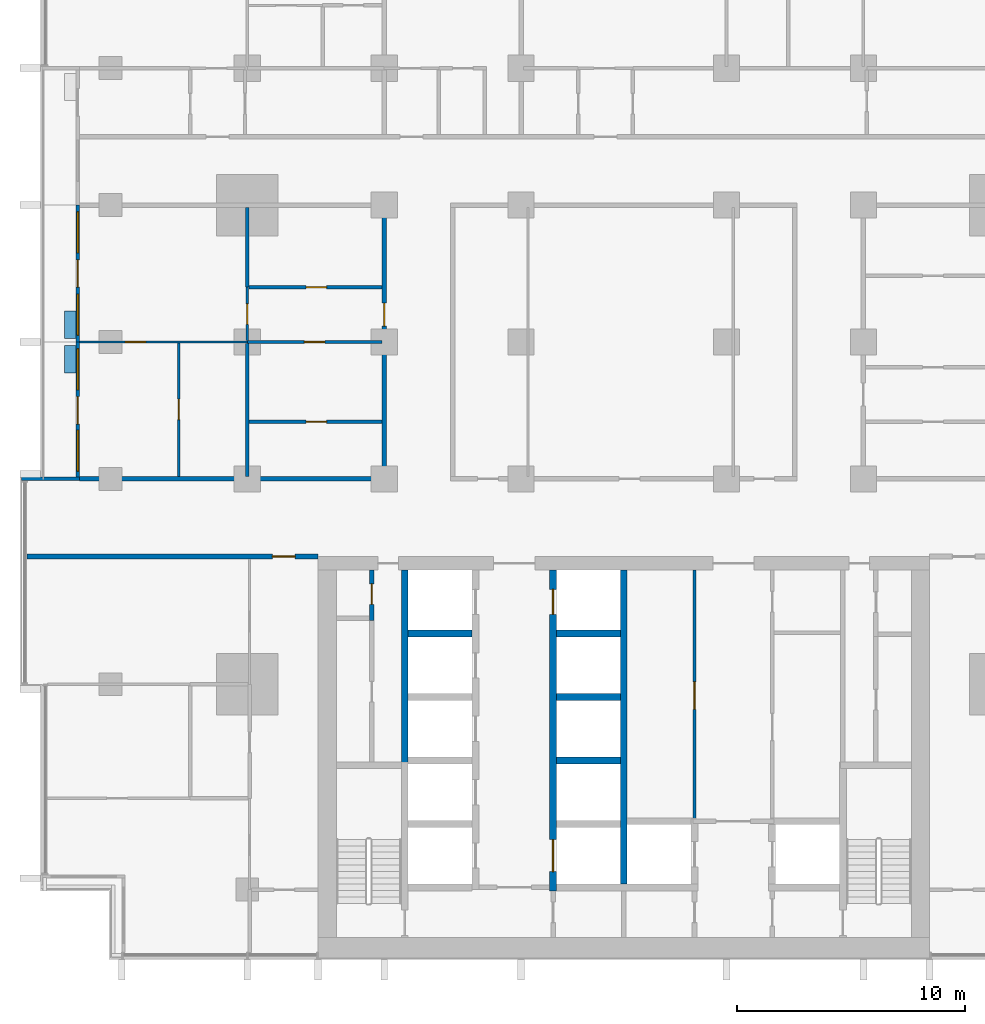
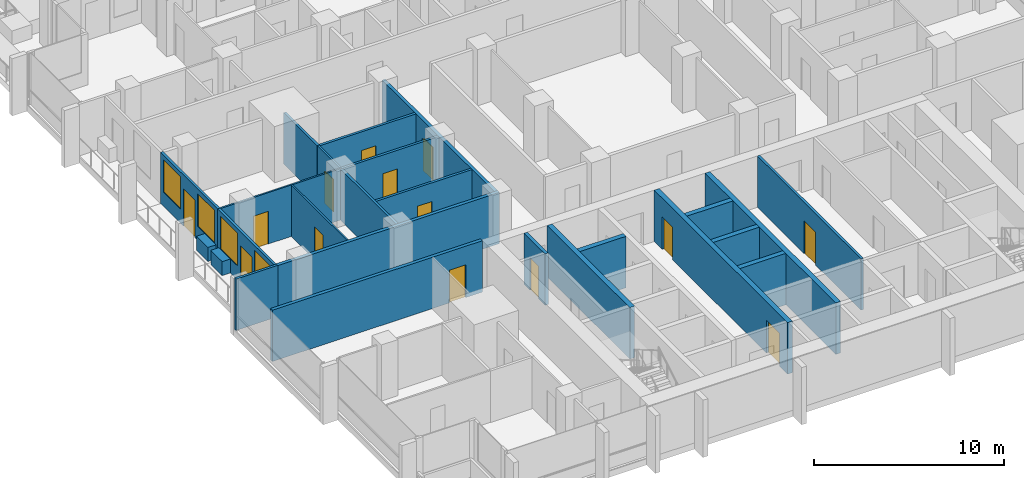
# One storey, part 8 of 19: 25 walls, 14 doors, 4 windows, 18 openings.
"""IFC4 building model written with IfcOpenShell, lengths in metres."""

from ifc_helpers import new_model, si_unit, direction, frame, frame_2d, origin, place, context, subcontext, project, spatial, rectangle, extrude, material, layer, layer_set, type_object, element, fill, save


model = new_model("IFC4")

# Units and contexts
model_context = context("Model", 3, precision=1e-05, world=origin(), true_north=direction((0.0, 1.0)))
body_context = subcontext(model_context, "Body", "Model", "MODEL_VIEW")
ifc_project = project(units=[si_unit("LENGTHUNIT", "METRE"), si_unit("AREAUNIT", "SQUARE_METRE"), si_unit("VOLUMEUNIT", "CUBIC_METRE"), si_unit("PLANEANGLEUNIT", "RADIAN"), si_unit("MASSUNIT", "GRAM", prefix="KILO")], contexts=[model_context])

# Site, building, storey
site_placement = place(None, origin())
site = spatial("IfcSite", under=ifc_project, at=site_placement, CompositionType="ELEMENT")
building_placement = place(site_placement, origin())
building = spatial("IfcBuilding", under=site, at=building_placement, Name="Finial Court Residences", CompositionType="ELEMENT")
storey_placement = place(building_placement, frame((0.0, 0.0, 81.10009765625)))
storey = spatial("IfcBuildingStorey", under=building, at=storey_placement, Name="L19", CompositionType="ELEMENT", Elevation=81.10009765625)

# Wall, opening, door
ifc_material_1 = material(Name="Fire-rated gypsum board partition")
ifc_layer_1 = layer(ifc_material_1, 0.14990234375)
ifc_layer_set_1 = layer_set([ifc_layer_1], Name="Core room partition 150 EI 60")
wall_type_1 = type_object("IfcWallType", Name="Core room partition 150 EI 60", PredefinedType="PARTITIONING", material=ifc_layer_set_1)
wall_1_placement = place(storey_placement, frame((3.10009765625, -19.39990234375, 0.0), z_axis=(0.0, 0.0, 1.0), x_axis=(0.0, 1.0, 0.0)))
wall_1 = element("IfcWall", 1, at=wall_1_placement, inside=storey, type_object=wall_type_1, Name="Core partition L19-32", PredefinedType="PARTITIONING", context=body_context, shape_type="SweptSolid", body=[
    extrude(rectangle(XDim=10.89990234375, YDim=0.14990234375, at=frame_2d((5.449951171875, 0.0))), origin(), (0.0, 0.0, 1.0), 3.2998046875),
])
opening_1_placement = place(wall_1_placement, frame((4.800048828125, 0.0, 0.0)))
opening_1 = element("IfcOpeningElement", 2, at=opening_1_placement, cuts=wall_1, Name="Opening L19-C14", PredefinedType="OPENING", context=body_context, shape_type="SweptSolid", body=[
    extrude(rectangle(XDim=1.199951171875, YDim=2.10009765625, at=frame_2d((0.60009765625, 1.050048828125))), frame((0.0, 0.0849609375, 0.0), z_axis=(0.0, -1.0, 0.0), x_axis=(1.0, 0.0, 0.0)), (0.0, 0.0, 1.0), 0.169921875),
])
ifc_material_2 = material(Name="Steel fire door", Category="steel")
door_type_1 = type_object("IfcDoorType", Name="Core room door 1200 x 2100 EI 60", OperationType="NOTDEFINED", PredefinedType="DOOR", material=ifc_material_2)
door_1_placement = place(opening_1_placement, origin())
door_1 = element("IfcDoor", 3, at=door_1_placement, inside=storey, type_object=door_type_1, Name="Core room door L19-C14", OperationType="SINGLE_SWING_LEFT", OverallHeight=2.10009765625, OverallWidth=1.199951171875, PredefinedType="DOOR", context=body_context, shape_type="SweptSolid", body=[
    extrude(rectangle(XDim=1.199951171875, YDim=2.10009765625, at=frame_2d((0.60009765625, 1.050048828125))), frame((0.0, 0.02490234375, 0.0), z_axis=(0.0, -1.0, 0.0), x_axis=(1.0, 0.0, 0.0)), (0.0, 0.0, 1.0), 0.050048828125),
])
fill(opening_1, door_1)

ifc_material_3 = material(Name="Gypsum board")
ifc_layer_2 = layer(ifc_material_3, 0.02490234375)
ifc_material_4 = material(Name="Acoustic mineral wool in double frame")
ifc_layer_3 = layer(ifc_material_4, 0.14990234375)
ifc_layer_4 = layer(ifc_material_3, 0.02490234375)
ifc_layer_set_2 = layer_set([ifc_layer_2, ifc_layer_3, ifc_layer_4], Name="Corridor wall 200, 1 hour")
wall_type_2 = type_object("IfcWallType", Name="Corridor wall 200, 1 hour", PredefinedType="PARTITIONING", material=ifc_layer_set_2)
wall_2_placement = place(storey_placement, frame((-26.14990234375, -7.89990234375, 0.0), z_axis=(0.0, 0.0, 1.0), x_axis=(1.0, 0.0, 0.0)))
wall_2 = element("IfcWall", 4, at=wall_2_placement, inside=storey, type_object=wall_type_2, Name="Partition L19-009", PredefinedType="PARTITIONING", context=body_context, shape_type="SweptSolid", body=[
    extrude(rectangle(XDim=12.75, YDim=0.199951171875, at=frame_2d((6.375, 0.0))), origin(), (0.0, 0.0, 1.0), 3.2998046875),
])
opening_2_placement = place(wall_2_placement, frame((10.75, 0.0, 0.0)))
opening_2 = element("IfcOpeningElement", 5, at=opening_2_placement, cuts=wall_2, Name="Opening L19-D005", PredefinedType="OPENING", context=body_context, shape_type="SweptSolid", body=[
    extrude(rectangle(XDim=1.0, YDim=2.10009765625, at=frame_2d((0.5, 1.050048828125))), frame((0.0, 0.10986328125, 0.0), z_axis=(0.0, -1.0, 0.0), x_axis=(1.0, 0.0, 0.0)), (0.0, 0.0, 1.0), 0.219970703125),
])
ifc_material_5 = material(Name="Timber door leaf in hollow metal frame", Category="wood")
door_type_2 = type_object("IfcDoorType", Name="Fire door set 1000 x 2100, 30 minutes", OperationType="SINGLE_SWING_LEFT", PredefinedType="DOOR", material=ifc_material_5)
door_2_placement = place(opening_2_placement, origin())
door_2 = element("IfcDoor", 6, at=door_2_placement, inside=storey, type_object=door_type_2, Name="Door L19-D005", OperationType="SINGLE_SWING_RIGHT", OverallHeight=2.10009765625, OverallWidth=1.0, PredefinedType="DOOR", context=body_context, shape_type="SweptSolid", body=[
    extrude(rectangle(XDim=1.0, YDim=2.10009765625, at=frame_2d((0.5, 1.050048828125))), frame((0.0, 0.02490234375, 0.0), z_axis=(0.0, -1.0, 0.0), x_axis=(1.0, 0.0, 0.0)), (0.0, 0.0, 1.0), 0.050048828125),
])
fill(opening_2, door_2)

# Wall
wall_3_placement = place(storey_placement, frame((-23.85009765625, -4.5, 0.0), z_axis=(0.0, 0.0, 1.0), x_axis=(1.0, 0.0, 0.0)))
element("IfcWall", 7, at=wall_3_placement, inside=storey, type_object=wall_type_2, Name="Partition L19-011", PredefinedType="PARTITIONING", context=body_context, shape_type="SweptSolid", body=[
    extrude(rectangle(XDim=13.4501953125, YDim=0.199951171875, at=frame_2d((6.72509765625, 0.0))), origin(), (0.0, 0.0, 1.0), 3.2998046875),
])

# Wall, opening, door
wall_4_placement = place(storey_placement, frame((-10.5, -4.39990234375, 0.0), z_axis=(0.0, 0.0, 1.0), x_axis=(0.0, 1.0, 0.0)))
wall_4 = element("IfcWall", 8, at=wall_4_placement, inside=storey, type_object=wall_type_2, Name="Partition L19-054", PredefinedType="PARTITIONING", context=body_context, shape_type="SweptSolid", body=[
    extrude(rectangle(XDim=11.7998046875, YDim=0.199951171875, at=frame_2d((5.89990234375, 0.0))), origin(), (0.0, 0.0, 1.0), 3.2998046875),
])
opening_3_placement = place(wall_4_placement, frame((6.60009765625, 0.0, 0.0)))
opening_3 = element("IfcOpeningElement", 9, at=opening_3_placement, cuts=wall_4, Name="Opening L19-D040", PredefinedType="OPENING", context=body_context, shape_type="SweptSolid", body=[
    extrude(rectangle(XDim=1.0, YDim=2.10009765625, at=frame_2d((0.5, 1.050048828125))), frame((0.0, 0.10986328125, 0.0), z_axis=(0.0, -1.0, 0.0), x_axis=(1.0, 0.0, 0.0)), (0.0, 0.0, 1.0), 0.219970703125),
])
door_3_placement = place(opening_3_placement, origin())
door_3 = element("IfcDoor", 10, at=door_3_placement, inside=storey, type_object=door_type_2, Name="Door L19-D040", OperationType="SINGLE_SWING_LEFT", OverallHeight=2.10009765625, OverallWidth=1.0, PredefinedType="DOOR", context=body_context, shape_type="SweptSolid", body=[
    extrude(rectangle(XDim=1.0, YDim=2.10009765625, at=frame_2d((0.5, 1.050048828125))), frame((0.0, 0.02490234375, 0.0), z_axis=(0.0, -1.0, 0.0), x_axis=(1.0, 0.0, 0.0)), (0.0, 0.0, 1.0), 0.050048828125),
])
fill(opening_3, door_3)

ifc_layer_5 = layer(ifc_material_3, 0.012451171875)
ifc_material_6 = material(Name="Mineral wool in light-gauge frame")
ifc_layer_6 = layer(ifc_material_6, 0.074951171875)
ifc_layer_7 = layer(ifc_material_3, 0.012451171875)
ifc_layer_set_3 = layer_set([ifc_layer_5, ifc_layer_6, ifc_layer_7], Name="Gypsum board partition 100")
wall_type_3 = type_object("IfcWallType", Name="Gypsum board partition 100", PredefinedType="PARTITIONING", material=ifc_layer_set_3)
wall_5_placement = place(storey_placement, frame((-23.85009765625, 1.5, 0.0), z_axis=(0.0, 0.0, 1.0), x_axis=(1.0, 0.0, 0.0)))
wall_5 = element("IfcWall", 11, at=wall_5_placement, inside=storey, type_object=wall_type_3, Name="Partition L19-017", PredefinedType="PARTITIONING", context=body_context, shape_type="SweptSolid", body=[
    extrude(rectangle(XDim=7.35009765625, YDim=0.10009765625, at=frame_2d((3.675048828125, 0.0))), origin(), (0.0, 0.0, 1.0), 3.2998046875),
])
opening_4_placement = place(wall_5_placement, frame((2.0, 0.0, 0.0)))
opening_4 = element("IfcOpeningElement", 12, at=opening_4_placement, cuts=wall_5, Name="Opening L19-D013", PredefinedType="OPENING", context=body_context, shape_type="SweptSolid", body=[
    extrude(rectangle(XDim=0.89990234375, YDim=2.10009765625, at=frame_2d((0.449951171875, 1.050048828125))), frame((0.0, 0.06005859375, 0.0), z_axis=(0.0, -1.0, 0.0), x_axis=(1.0, 0.0, 0.0)), (0.0, 0.0, 1.0), 0.1201171875),
])
ifc_material_7 = material(Name="Timber door leaf in timber frame", Category="wood")
door_type_3 = type_object("IfcDoorType", Name="Door set 900 x 2100", OperationType="SINGLE_SWING_LEFT", PredefinedType="DOOR", material=ifc_material_7)
door_4_placement = place(opening_4_placement, origin())
door_4 = element("IfcDoor", 13, at=door_4_placement, inside=storey, type_object=door_type_3, Name="Door L19-D013", OperationType="SINGLE_SWING_LEFT", OverallHeight=2.10009765625, OverallWidth=0.89990234375, PredefinedType="DOOR", context=body_context, shape_type="SweptSolid", body=[
    extrude(rectangle(XDim=0.89990234375, YDim=2.10009765625, at=frame_2d((0.449951171875, 1.050048828125))), frame((0.0, 0.02490234375, 0.0), z_axis=(0.0, -1.0, 0.0), x_axis=(1.0, 0.0, 0.0)), (0.0, 0.0, 1.0), 0.050048828125),
])
fill(opening_4, door_4)

wall_6_placement = place(storey_placement, frame((-19.5, -4.39990234375, 0.0), z_axis=(0.0, 0.0, 1.0), x_axis=(0.0, 1.0, 0.0)))
wall_6 = element("IfcWall", 14, at=wall_6_placement, inside=storey, type_object=wall_type_3, Name="Partition L19-041", PredefinedType="PARTITIONING", context=body_context, shape_type="SweptSolid", body=[
    extrude(rectangle(XDim=5.849853515625, YDim=0.10009765625, at=frame_2d((2.9248046875, 0.0))), origin(), (0.0, 0.0, 1.0), 3.2998046875),
])
opening_5_placement = place(wall_6_placement, frame((2.5, 0.0, 0.0)))
opening_5 = element("IfcOpeningElement", 15, at=opening_5_placement, cuts=wall_6, Name="Opening L19-D032", PredefinedType="OPENING", context=body_context, shape_type="SweptSolid", body=[
    extrude(rectangle(XDim=0.89990234375, YDim=2.10009765625, at=frame_2d((0.449951171875, 1.050048828125))), frame((0.0, 0.06005859375, 0.0), z_axis=(0.0, -1.0, 0.0), x_axis=(1.0, 0.0, 0.0)), (0.0, 0.0, 1.0), 0.1201171875),
])
door_5_placement = place(opening_5_placement, origin())
door_5 = element("IfcDoor", 16, at=door_5_placement, inside=storey, type_object=door_type_3, Name="Door L19-D032", OperationType="SINGLE_SWING_RIGHT", OverallHeight=2.10009765625, OverallWidth=0.89990234375, PredefinedType="DOOR", context=body_context, shape_type="SweptSolid", body=[
    extrude(rectangle(XDim=0.89990234375, YDim=2.10009765625, at=frame_2d((0.449951171875, 1.050048828125))), frame((0.0, 0.02490234375, 0.0), z_axis=(0.0, -1.0, 0.0), x_axis=(1.0, 0.0, 0.0)), (0.0, 0.0, 1.0), 0.050048828125),
])
fill(opening_5, door_5)

wall_7_placement = place(storey_placement, frame((-16.5, 1.574951171875, 0.0), z_axis=(0.0, 0.0, 1.0), x_axis=(0.0, 1.0, 0.0)))
wall_7 = element("IfcWall", 17, at=wall_7_placement, inside=storey, type_object=wall_type_3, Name="Partition L19-045", PredefinedType="PARTITIONING", context=body_context, shape_type="SweptSolid", body=[
    extrude(rectangle(XDim=2.324951171875, YDim=0.10009765625, at=frame_2d((1.16259765625, 0.0))), origin(), (0.0, 0.0, 1.0), 3.2998046875),
])
opening_6_placement = place(wall_7_placement, frame((0.699951171875, 0.0, 0.0)))
opening_6 = element("IfcOpeningElement", 18, at=opening_6_placement, cuts=wall_7, Name="Opening L19-D035", PredefinedType="OPENING", context=body_context, shape_type="SweptSolid", body=[
    extrude(rectangle(XDim=0.89990234375, YDim=2.10009765625, at=frame_2d((0.449951171875, 1.050048828125))), frame((0.0, 0.06005859375, 0.0), z_axis=(0.0, -1.0, 0.0), x_axis=(1.0, 0.0, 0.0)), (0.0, 0.0, 1.0), 0.1201171875),
])
door_6_placement = place(opening_6_placement, origin())
door_6 = element("IfcDoor", 19, at=door_6_placement, inside=storey, type_object=door_type_3, Name="Door L19-D035", OperationType="SINGLE_SWING_RIGHT", OverallHeight=2.10009765625, OverallWidth=0.89990234375, PredefinedType="DOOR", context=body_context, shape_type="SweptSolid", body=[
    extrude(rectangle(XDim=0.89990234375, YDim=2.10009765625, at=frame_2d((0.449951171875, 1.050048828125))), frame((0.0, 0.02490234375, 0.0), z_axis=(0.0, -1.0, 0.0), x_axis=(1.0, 0.0, 0.0)), (0.0, 0.0, 1.0), 0.050048828125),
])
fill(opening_6, door_6)

ifc_material_8 = material(Name="Moisture-resistant gypsum board")
ifc_layer_8 = layer(ifc_material_8, 0.012451171875)
ifc_layer_9 = layer(ifc_material_6, 0.125)
ifc_layer_10 = layer(ifc_material_8, 0.012451171875)
ifc_layer_set_4 = layer_set([ifc_layer_8, ifc_layer_9, ifc_layer_10], Name="Gypsum board wet-area partition 150")
wall_type_4 = type_object("IfcWallType", Name="Gypsum board wet-area partition 150", PredefinedType="PARTITIONING", material=ifc_layer_set_4)
wall_8_placement = place(storey_placement, frame((-16.425048828125, -2.0, 0.0), z_axis=(0.0, 0.0, 1.0), x_axis=(1.0, 0.0, 0.0)))
wall_8 = element("IfcWall", 20, at=wall_8_placement, inside=storey, type_object=wall_type_4, Name="Partition L19-014", PredefinedType="PARTITIONING", context=body_context, shape_type="SweptSolid", body=[
    extrude(rectangle(XDim=5.824951171875, YDim=0.14990234375, at=frame_2d((2.91259765625, 0.0))), origin(), (0.0, 0.0, 1.0), 3.2998046875),
])
opening_7_placement = place(wall_8_placement, frame((2.5, 0.0, 0.0)))
opening_7 = element("IfcOpeningElement", 21, at=opening_7_placement, cuts=wall_8, Name="Opening L19-D010", PredefinedType="OPENING", context=body_context, shape_type="SweptSolid", body=[
    extrude(rectangle(XDim=0.89990234375, YDim=2.10009765625, at=frame_2d((0.449951171875, 1.050048828125))), frame((0.0, 0.0849609375, 0.0), z_axis=(0.0, -1.0, 0.0), x_axis=(1.0, 0.0, 0.0)), (0.0, 0.0, 1.0), 0.169921875),
])
door_7_placement = place(opening_7_placement, origin())
door_7 = element("IfcDoor", 22, at=door_7_placement, inside=storey, type_object=door_type_3, Name="Door L19-D010", OperationType="SINGLE_SWING_RIGHT", OverallHeight=2.10009765625, OverallWidth=0.89990234375, PredefinedType="DOOR", context=body_context, shape_type="SweptSolid", body=[
    extrude(rectangle(XDim=0.89990234375, YDim=2.10009765625, at=frame_2d((0.449951171875, 1.050048828125))), frame((0.0, 0.02490234375, 0.0), z_axis=(0.0, -1.0, 0.0), x_axis=(1.0, 0.0, 0.0)), (0.0, 0.0, 1.0), 0.050048828125),
])
fill(opening_7, door_7)

wall_9_placement = place(storey_placement, frame((-16.5, 1.5, 0.0), z_axis=(0.0, 0.0, 1.0), x_axis=(1.0, 0.0, 0.0)))
wall_9 = element("IfcWall", 23, at=wall_9_placement, inside=storey, type_object=wall_type_4, Name="Partition L19-019", PredefinedType="PARTITIONING", context=body_context, shape_type="SweptSolid", body=[
    extrude(rectangle(XDim=5.89990234375, YDim=0.14990234375, at=frame_2d((2.949951171875, 0.0))), origin(), (0.0, 0.0, 1.0), 3.2998046875),
])
opening_8_placement = place(wall_9_placement, frame((2.5, 0.0, 0.0)))
opening_8 = element("IfcOpeningElement", 24, at=opening_8_placement, cuts=wall_9, Name="Opening L19-D015", PredefinedType="OPENING", context=body_context, shape_type="SweptSolid", body=[
    extrude(rectangle(XDim=0.89990234375, YDim=2.10009765625, at=frame_2d((0.449951171875, 1.050048828125))), frame((0.0, 0.0849609375, 0.0), z_axis=(0.0, -1.0, 0.0), x_axis=(1.0, 0.0, 0.0)), (0.0, 0.0, 1.0), 0.169921875),
])
door_8_placement = place(opening_8_placement, origin())
door_8 = element("IfcDoor", 25, at=door_8_placement, inside=storey, type_object=door_type_3, Name="Door L19-D015", OperationType="SINGLE_SWING_LEFT", OverallHeight=2.10009765625, OverallWidth=0.89990234375, PredefinedType="DOOR", context=body_context, shape_type="SweptSolid", body=[
    extrude(rectangle(XDim=0.89990234375, YDim=2.10009765625, at=frame_2d((0.449951171875, 1.050048828125))), frame((0.0, 0.02490234375, 0.0), z_axis=(0.0, -1.0, 0.0), x_axis=(1.0, 0.0, 0.0)), (0.0, 0.0, 1.0), 0.050048828125),
])
fill(opening_8, door_8)

wall_10_placement = place(storey_placement, frame((-16.425048828125, 3.89990234375, 0.0), z_axis=(0.0, 0.0, 1.0), x_axis=(1.0, 0.0, 0.0)))
wall_10 = element("IfcWall", 26, at=wall_10_placement, inside=storey, type_object=wall_type_4, Name="Partition L19-020", PredefinedType="PARTITIONING", context=body_context, shape_type="SweptSolid", body=[
    extrude(rectangle(XDim=5.824951171875, YDim=0.14990234375, at=frame_2d((2.91259765625, 0.0))), origin(), (0.0, 0.0, 1.0), 3.2998046875),
])
opening_9_placement = place(wall_10_placement, frame((2.5, 0.0, 0.0)))
opening_9 = element("IfcOpeningElement", 27, at=opening_9_placement, cuts=wall_10, Name="Opening L19-D016", PredefinedType="OPENING", context=body_context, shape_type="SweptSolid", body=[
    extrude(rectangle(XDim=0.89990234375, YDim=2.10009765625, at=frame_2d((0.449951171875, 1.050048828125))), frame((0.0, 0.0849609375, 0.0), z_axis=(0.0, -1.0, 0.0), x_axis=(1.0, 0.0, 0.0)), (0.0, 0.0, 1.0), 0.169921875),
])
door_9_placement = place(opening_9_placement, origin())
door_9 = element("IfcDoor", 28, at=door_9_placement, inside=storey, type_object=door_type_3, Name="Door L19-D016", OperationType="SINGLE_SWING_LEFT", OverallHeight=2.10009765625, OverallWidth=0.89990234375, PredefinedType="DOOR", context=body_context, shape_type="SweptSolid", body=[
    extrude(rectangle(XDim=0.89990234375, YDim=2.10009765625, at=frame_2d((0.449951171875, 1.050048828125))), frame((0.0, 0.02490234375, 0.0), z_axis=(0.0, -1.0, 0.0), x_axis=(1.0, 0.0, 0.0)), (0.0, 0.0, 1.0), 0.050048828125),
])
fill(opening_9, door_9)

# Walls
wall_11_placement = place(storey_placement, frame((-16.5, -4.39990234375, 0.0), z_axis=(0.0, 0.0, 1.0), x_axis=(0.0, 1.0, 0.0)))
element("IfcWall", 29, at=wall_11_placement, inside=storey, type_object=wall_type_4, Name="Partition L19-047", PredefinedType="PARTITIONING", context=body_context, shape_type="SweptSolid", body=[
    extrude(rectangle(XDim=5.824951171875, YDim=0.14990234375, at=frame_2d((2.91259765625, 0.0))), origin(), (0.0, 0.0, 1.0), 3.2998046875),
])
wall_12_placement = place(storey_placement, frame((-16.5, 3.89990234375, 0.0), z_axis=(0.0, 0.0, 1.0), x_axis=(0.0, 1.0, 0.0)))
element("IfcWall", 30, at=wall_12_placement, inside=storey, type_object=wall_type_4, Name="Partition L19-048", PredefinedType="PARTITIONING", context=body_context, shape_type="SweptSolid", body=[
    extrude(rectangle(XDim=3.5, YDim=0.14990234375, at=frame_2d((1.75, 0.0))), origin(), (0.0, 0.0, 1.0), 3.2998046875),
])
ifc_material_9 = material(Name="Concrete C70/85", Category="concrete")
ifc_layer_11 = layer(ifc_material_9, 0.300048828125)
ifc_layer_set_5 = layer_set([ifc_layer_11], Name="Lift shaft and stair wall 300 Concrete C70/85")
wall_type_5 = type_object("IfcWallType", Name="Lift shaft and stair wall 300 Concrete C70/85", PredefinedType="SHEAR", material=ifc_layer_set_5)
for number, where, z_axis, x_axis, name in (
    (31, (-2.949951171875, -16.840087890625, 0.0), (0.0, 0.0, 1.0), (1.0, 0.0, 0.0), "Core wall L19-13"),
    (32, (-2.949951171875, -14.06005859375, 0.0), (0.0, 0.0, 1.0), (1.0, 0.0, 0.0), "Core wall L19-15"),
    (33, (-9.449951171875, -11.280029296875, 0.0), (0.0, 0.0, 1.0), (1.0, 0.0, 0.0), "Core wall L19-17"),
    (34, (-2.949951171875, -11.280029296875, 0.0), (0.0, 0.0, 1.0), (1.0, 0.0, 0.0), "Core wall L19-18"),
):
    element("IfcWall", number, at=place(storey_placement, frame(where, z_axis=z_axis, x_axis=x_axis)), inside=storey, type_object=wall_type_5, Name=name, PredefinedType="SHEAR", context=body_context, shape_type="SweptSolid", body=[
        extrude(rectangle(XDim=2.800048828125, YDim=0.300048828125, at=frame_2d((1.39990234375, 0.0))), origin(), (0.0, 0.0, 1.0), 3.2998046875),
    ])
wall_13_placement = place(storey_placement, frame((-9.60009765625, -17.199951171875, 0.0), z_axis=(0.0, 0.0, 1.0), x_axis=(0.0, 1.0, 0.0)))
element("IfcWall", 35, at=wall_13_placement, inside=storey, type_object=wall_type_5, Name="Core wall L19-24", PredefinedType="SHEAR", context=body_context, shape_type="SweptSolid", body=[
    extrude(rectangle(XDim=8.699951171875, YDim=0.300048828125, at=frame_2d((4.35009765625, 0.0))), origin(), (0.0, 0.0, 1.0), 3.2998046875),
])

# Wall, openings, doors
wall_14_placement = place(storey_placement, frame((-3.10009765625, -22.550048828125, 0.0), z_axis=(0.0, 0.0, 1.0), x_axis=(0.0, 1.0, 0.0)))
wall_14 = element("IfcWall", 36, at=wall_14_placement, inside=storey, type_object=wall_type_5, Name="Core wall L19-27", PredefinedType="SHEAR", context=body_context, shape_type="SweptSolid", body=[
    extrude(rectangle(XDim=14.050048828125, YDim=0.300048828125, at=frame_2d((7.02490234375, 0.0))), origin(), (0.0, 0.0, 1.0), 3.2998046875),
])
opening_10_placement = place(wall_14_placement, frame((12.110107421875, 0.0, 0.0)))
opening_10 = element("IfcOpeningElement", 37, at=opening_10_placement, cuts=wall_14, Name="Opening L19-LD08", PredefinedType="OPENING", context=body_context, shape_type="SweptSolid", body=[
    extrude(rectangle(XDim=1.10009765625, YDim=2.10009765625, at=frame_2d((0.550048828125, 1.050048828125))), frame((0.0, 0.159912109375, 0.0), z_axis=(0.0, -1.0, 0.0), x_axis=(1.0, 0.0, 0.0)), (0.0, 0.0, 1.0), 0.320068359375),
])
opening_11_placement = place(wall_14_placement, frame((0.840087890625, 0.0, 0.0)))
opening_11 = element("IfcOpeningElement", 38, at=opening_11_placement, cuts=wall_14, Name="Opening L19-LD09", PredefinedType="OPENING", context=body_context, shape_type="SweptSolid", body=[
    extrude(rectangle(XDim=1.39990234375, YDim=2.10009765625, at=frame_2d((0.699951171875, 1.050048828125))), frame((0.0, 0.159912109375, 0.0), z_axis=(0.0, -1.0, 0.0), x_axis=(1.0, 0.0, 0.0)), (0.0, 0.0, 1.0), 0.320068359375),
])
ifc_material_10 = material(Name="Stainless steel lift door", Category="steel")
door_type_4 = type_object("IfcDoorType", Name="Lift landing door 1100 x 2100 EI 90", OperationType="DOUBLE_DOOR_SLIDING", PredefinedType="DOOR", material=ifc_material_10)
door_10_placement = place(opening_10_placement, origin())
door_10 = element("IfcDoor", 39, at=door_10_placement, inside=storey, type_object=door_type_4, Name="Lift landing door LR6 L19", OperationType="DOUBLE_DOOR_SLIDING", OverallHeight=2.10009765625, OverallWidth=1.10009765625, PredefinedType="DOOR", context=body_context, shape_type="SweptSolid", body=[
    extrude(rectangle(XDim=1.10009765625, YDim=2.10009765625, at=frame_2d((0.550048828125, 1.050048828125))), frame((0.0, 0.02490234375, 0.0), z_axis=(0.0, -1.0, 0.0), x_axis=(1.0, 0.0, 0.0)), (0.0, 0.0, 1.0), 0.050048828125),
])
fill(opening_10, door_10)
door_type_5 = type_object("IfcDoorType", Name="Lift landing door 1400 x 2100 EI 90", OperationType="DOUBLE_DOOR_SLIDING", PredefinedType="DOOR", material=ifc_material_10)
door_11_placement = place(opening_11_placement, origin())
door_11 = element("IfcDoor", 40, at=door_11_placement, inside=storey, type_object=door_type_5, Name="Lift landing door SV1 L19", OperationType="DOUBLE_DOOR_SLIDING", OverallHeight=2.10009765625, OverallWidth=1.39990234375, PredefinedType="DOOR", context=body_context, shape_type="SweptSolid", body=[
    extrude(rectangle(XDim=1.39990234375, YDim=2.10009765625, at=frame_2d((0.699951171875, 1.050048828125))), frame((0.0, 0.02490234375, 0.0), z_axis=(0.0, -1.0, 0.0), x_axis=(1.0, 0.0, 0.0)), (0.0, 0.0, 1.0), 0.050048828125),
])
fill(opening_11, door_11)

# Walls
wall_15_placement = place(storey_placement, frame((0.0, -22.25, 0.0), z_axis=(0.0, 0.0, 1.0), x_axis=(0.0, 1.0, 0.0)))
element("IfcWall", 41, at=wall_15_placement, inside=storey, type_object=wall_type_5, Name="Core wall L19-29", PredefinedType="SHEAR", context=body_context, shape_type="SweptSolid", body=[
    extrude(rectangle(XDim=13.75, YDim=0.300048828125, at=frame_2d((6.875, 0.0))), origin(), (0.0, 0.0, 1.0), 3.2998046875),
])
ifc_material_11 = material(Name="Natural limestone", Category="masonry")
ifc_layer_12 = layer(ifc_material_11, 0.14990234375)
ifc_layer_set_6 = layer_set([ifc_layer_12], Name="Limestone clad wall 150")
wall_type_6 = type_object("IfcWallType", Name="Limestone clad wall 150", PredefinedType="SOLIDWALL", material=ifc_layer_set_6)
wall_16_placement = place(storey_placement, frame((-23.85009765625, -4.5, 0.0), z_axis=(0.0, 0.0, 1.0), x_axis=(-1.0, 0.0, 0.0)))
element("IfcWall", 42, at=wall_16_placement, inside=storey, type_object=wall_type_6, Name="E-L19-BALW3-P1", PredefinedType="SOLIDWALL", context=body_context, shape_type="SweptSolid", body=[
    extrude(rectangle(XDim=2.5498046875, YDim=0.14990234375, at=frame_2d((1.27490234375, 0.0))), origin(), (0.0, 0.0, 1.0), 3.2998046875),
])

# Wall, openings, door, windows
wall_17_placement = place(storey_placement, frame((-23.925048828125, -4.425048828125, 0.0), z_axis=(0.0, 0.0, 1.0), x_axis=(0.0, 1.0, 0.0)))
wall_17 = element("IfcWall", 43, at=wall_17_placement, inside=storey, type_object=wall_type_6, Name="E-L19-L19-BALW3-W", PredefinedType="SOLIDWALL", context=body_context, shape_type="SweptSolid", body=[
    extrude(rectangle(XDim=5.925048828125, YDim=0.14990234375, at=frame_2d((2.96240234375, 0.0))), origin(), (0.0, 0.0, 1.0), 3.2998046875),
])
opening_12_placement = place(wall_17_placement, frame((2.324951171875, 0.0, 0.0)))
opening_12 = element("IfcOpeningElement", 44, at=opening_12_placement, cuts=wall_17, Name="Opening DE19-04", PredefinedType="OPENING", context=body_context, shape_type="SweptSolid", body=[
    extrude(rectangle(XDim=1.199951171875, YDim=2.39990234375, at=frame_2d((0.60009765625, 1.199951171875))), frame((0.0, 0.0849609375, 0.0), z_axis=(0.0, -1.0, 0.0), x_axis=(1.0, 0.0, 0.0)), (0.0, 0.0, 1.0), 0.169921875),
])
opening_13_placement = place(wall_17_placement, frame((0.262451171875, 0.0, 0.89990234375)))
opening_13 = element("IfcOpeningElement", 45, at=opening_13_placement, cuts=wall_17, Name="Opening WE19-15", PredefinedType="OPENING", context=body_context, shape_type="SweptSolid", body=[
    extrude(rectangle(XDim=1.800048828125, YDim=2.10009765625, at=frame_2d((0.89990234375, 1.050048828125))), frame((0.0, 0.0849609375, 0.0), z_axis=(0.0, -1.0, 0.0), x_axis=(1.0, 0.0, 0.0)), (0.0, 0.0, 1.0), 0.169921875),
])
opening_14_placement = place(wall_17_placement, frame((3.824951171875, 0.0, 0.89990234375)))
opening_14 = element("IfcOpeningElement", 46, at=opening_14_placement, cuts=wall_17, Name="Opening WE19-16", PredefinedType="OPENING", context=body_context, shape_type="SweptSolid", body=[
    extrude(rectangle(XDim=1.800048828125, YDim=2.10009765625, at=frame_2d((0.89990234375, 1.050048828125))), frame((0.0, 0.0849609375, 0.0), z_axis=(0.0, -1.0, 0.0), x_axis=(1.0, 0.0, 0.0)), (0.0, 0.0, 1.0), 0.169921875),
])
ifc_material_12 = material(Name="Bronze anodised aluminium", Category="aluminium")
door_type_6 = type_object("IfcDoorType", Name="Balcony door 1200 x 2400", OperationType="SINGLE_SWING_LEFT", PredefinedType="DOOR", material=ifc_material_12)
door_12_placement = place(opening_12_placement, origin())
door_12 = element("IfcDoor", 47, at=door_12_placement, inside=storey, type_object=door_type_6, Name="E-L19-L19-BALW3-W-D", OperationType="SINGLE_SWING_LEFT", OverallHeight=2.39990234375, OverallWidth=1.199951171875, PredefinedType="DOOR", context=body_context, shape_type="SweptSolid", body=[
    extrude(rectangle(XDim=1.199951171875, YDim=2.39990234375, at=frame_2d((0.60009765625, 1.199951171875))), frame((0.0, 0.02490234375, 0.0), z_axis=(0.0, -1.0, 0.0), x_axis=(1.0, 0.0, 0.0)), (0.0, 0.0, 1.0), 0.050048828125),
])
fill(opening_12, door_12)
ifc_material_13 = material(Name="Clear low-e glass", Category="glass")
window_type = type_object("IfcWindowType", Name="Balcony window 1800 x 2100", PartitioningType="SINGLE_PANEL", PredefinedType="WINDOW", material=ifc_material_13)
window_1_placement = place(opening_13_placement, origin())
window_1 = element("IfcWindow", 48, at=window_1_placement, inside=storey, type_object=window_type, Name="E-L19-L19-BALW3-W-W1", OverallHeight=2.10009765625, OverallWidth=1.800048828125, PartitioningType="SINGLE_PANEL", PredefinedType="WINDOW", context=body_context, shape_type="SweptSolid", body=[
    extrude(rectangle(XDim=1.800048828125, YDim=2.10009765625, at=frame_2d((0.89990234375, 1.050048828125))), frame((0.0, 0.030029296875, 0.0), z_axis=(0.0, -1.0, 0.0), x_axis=(1.0, 0.0, 0.0)), (0.0, 0.0, 1.0), 0.06005859375),
])
fill(opening_13, window_1)
window_2_placement = place(opening_14_placement, origin())
window_2 = element("IfcWindow", 49, at=window_2_placement, inside=storey, type_object=window_type, Name="E-L19-L19-BALW3-W-W2", OverallHeight=2.10009765625, OverallWidth=1.800048828125, PartitioningType="SINGLE_PANEL", PredefinedType="WINDOW", context=body_context, shape_type="SweptSolid", body=[
    extrude(rectangle(XDim=1.800048828125, YDim=2.10009765625, at=frame_2d((0.89990234375, 1.050048828125))), frame((0.0, 0.030029296875, 0.0), z_axis=(0.0, -1.0, 0.0), x_axis=(1.0, 0.0, 0.0)), (0.0, 0.0, 1.0), 0.06005859375),
])
fill(opening_14, window_2)

wall_18_placement = place(storey_placement, frame((-23.925048828125, 1.5, 0.0), z_axis=(0.0, 0.0, 1.0), x_axis=(0.0, 1.0, 0.0)))
wall_18 = element("IfcWall", 50, at=wall_18_placement, inside=storey, type_object=wall_type_6, Name="E-L19-L19-BALW4-W", PredefinedType="SOLIDWALL", context=body_context, shape_type="SweptSolid", body=[
    extrude(rectangle(XDim=6.0, YDim=0.14990234375, at=frame_2d((3.0, 0.0))), origin(), (0.0, 0.0, 1.0), 3.2998046875),
])
opening_15_placement = place(wall_18_placement, frame((2.39990234375, 0.0, 0.0)))
opening_15 = element("IfcOpeningElement", 51, at=opening_15_placement, cuts=wall_18, Name="Opening DE19-05", PredefinedType="OPENING", context=body_context, shape_type="SweptSolid", body=[
    extrude(rectangle(XDim=1.199951171875, YDim=2.39990234375, at=frame_2d((0.60009765625, 1.199951171875))), frame((0.0, 0.0849609375, 0.0), z_axis=(0.0, -1.0, 0.0), x_axis=(1.0, 0.0, 0.0)), (0.0, 0.0, 1.0), 0.169921875),
])
opening_16_placement = place(wall_18_placement, frame((0.300048828125, 0.0, 0.89990234375)))
opening_16 = element("IfcOpeningElement", 52, at=opening_16_placement, cuts=wall_18, Name="Opening WE19-17", PredefinedType="OPENING", context=body_context, shape_type="SweptSolid", body=[
    extrude(rectangle(XDim=1.800048828125, YDim=2.10009765625, at=frame_2d((0.89990234375, 1.050048828125))), frame((0.0, 0.0849609375, 0.0), z_axis=(0.0, -1.0, 0.0), x_axis=(1.0, 0.0, 0.0)), (0.0, 0.0, 1.0), 0.169921875),
])
opening_17_placement = place(wall_18_placement, frame((3.89990234375, 0.0, 0.89990234375)))
opening_17 = element("IfcOpeningElement", 53, at=opening_17_placement, cuts=wall_18, Name="Opening WE19-18", PredefinedType="OPENING", context=body_context, shape_type="SweptSolid", body=[
    extrude(rectangle(XDim=1.800048828125, YDim=2.10009765625, at=frame_2d((0.89990234375, 1.050048828125))), frame((0.0, 0.0849609375, 0.0), z_axis=(0.0, -1.0, 0.0), x_axis=(1.0, 0.0, 0.0)), (0.0, 0.0, 1.0), 0.169921875),
])
door_13_placement = place(opening_15_placement, origin())
door_13 = element("IfcDoor", 54, at=door_13_placement, inside=storey, type_object=door_type_6, Name="E-L19-L19-BALW4-W-D", OperationType="SINGLE_SWING_RIGHT", OverallHeight=2.39990234375, OverallWidth=1.199951171875, PredefinedType="DOOR", context=body_context, shape_type="SweptSolid", body=[
    extrude(rectangle(XDim=1.199951171875, YDim=2.39990234375, at=frame_2d((0.60009765625, 1.199951171875))), frame((0.0, 0.02490234375, 0.0), z_axis=(0.0, -1.0, 0.0), x_axis=(1.0, 0.0, 0.0)), (0.0, 0.0, 1.0), 0.050048828125),
])
fill(opening_15, door_13)
window_3_placement = place(opening_16_placement, origin())
window_3 = element("IfcWindow", 55, at=window_3_placement, inside=storey, type_object=window_type, Name="E-L19-L19-BALW4-W-W1", OverallHeight=2.10009765625, OverallWidth=1.800048828125, PartitioningType="SINGLE_PANEL", PredefinedType="WINDOW", context=body_context, shape_type="SweptSolid", body=[
    extrude(rectangle(XDim=1.800048828125, YDim=2.10009765625, at=frame_2d((0.89990234375, 1.050048828125))), frame((0.0, 0.030029296875, 0.0), z_axis=(0.0, -1.0, 0.0), x_axis=(1.0, 0.0, 0.0)), (0.0, 0.0, 1.0), 0.06005859375),
])
fill(opening_16, window_3)
window_4_placement = place(opening_17_placement, origin())
window_4 = element("IfcWindow", 56, at=window_4_placement, inside=storey, type_object=window_type, Name="E-L19-L19-BALW4-W-W2", OverallHeight=2.10009765625, OverallWidth=1.800048828125, PartitioningType="SINGLE_PANEL", PredefinedType="WINDOW", context=body_context, shape_type="SweptSolid", body=[
    extrude(rectangle(XDim=1.800048828125, YDim=2.10009765625, at=frame_2d((0.89990234375, 1.050048828125))), frame((0.0, 0.030029296875, 0.0), z_axis=(0.0, -1.0, 0.0), x_axis=(1.0, 0.0, 0.0)), (0.0, 0.0, 1.0), 0.06005859375),
])
fill(opening_17, window_4)

# Walls
ifc_material_14 = material(Name="Concrete C40/50", Category="concrete")
ifc_layer_13 = layer(ifc_material_14, 0.10009765625)
ifc_material_15 = material(Name="Planting soil", Category="soil")
ifc_layer_14 = layer(ifc_material_15, 0.300048828125)
ifc_layer_15 = layer(ifc_material_14, 0.10009765625)
ifc_layer_set_7 = layer_set([ifc_layer_13, ifc_layer_14, ifc_layer_15], Name="Planter wall, balcony")
wall_type_7 = type_object("IfcWallType", Name="Planter wall, balcony", PredefinedType="USERDEFINED", material=ifc_layer_set_7)
for number, where, z_axis, x_axis, name in (
    (57, (-24.25, 0.14990234375, 0.0), (0.0, 0.0, 1.0), (0.0, 1.0, 0.0), "E-L19-BALW3-PL"),
    (58, (-24.25, 1.64990234375, 0.0), (0.0, 0.0, 1.0), (0.0, 1.0, 0.0), "E-L19-BALW4-PL"),
):
    element("IfcWall", number, at=place(storey_placement, frame(where, z_axis=z_axis, x_axis=x_axis)), inside=storey, type_object=wall_type_7, Name=name, ObjectType="PLANTER", PredefinedType="USERDEFINED", context=body_context, shape_type="SweptSolid", body=[
        extrude(rectangle(XDim=1.2001953125, YDim=0.5, at=frame_2d((0.60009765625, 0.0))), origin(), (0.0, 0.0, 1.0), 0.89990234375),
    ])

# Wall, opening, door
ifc_layer_16 = layer(ifc_material_1, 0.199951171875)
ifc_layer_set_8 = layer_set([ifc_layer_16], Name="Riser room wall 200 EI 120")
wall_type_8 = type_object("IfcWallType", Name="Riser room wall 200 EI 120", PredefinedType="PARTITIONING", material=ifc_layer_set_8)
wall_19_placement = place(storey_placement, frame((-11.050048828125, -10.699951171875, 0.0), z_axis=(0.0, 0.0, 1.0), x_axis=(0.0, 1.0, 0.0)))
wall_19 = element("IfcWall", 59, at=wall_19_placement, inside=storey, type_object=wall_type_8, Name="Core partition L19-22", PredefinedType="PARTITIONING", context=body_context, shape_type="SweptSolid", body=[
    extrude(rectangle(XDim=2.199951171875, YDim=0.199951171875, at=frame_2d((1.10009765625, 0.0))), origin(), (0.0, 0.0, 1.0), 3.2998046875),
])
opening_18_placement = place(wall_19_placement, frame((0.699951171875, 0.0, 0.0)))
opening_18 = element("IfcOpeningElement", 60, at=opening_18_placement, cuts=wall_19, Name="Opening L19-C07", PredefinedType="OPENING", context=body_context, shape_type="SweptSolid", body=[
    extrude(rectangle(XDim=0.89990234375, YDim=2.10009765625, at=frame_2d((0.449951171875, 1.050048828125))), frame((0.0, 0.10986328125, 0.0), z_axis=(0.0, -1.0, 0.0), x_axis=(1.0, 0.0, 0.0)), (0.0, 0.0, 1.0), 0.219970703125),
])
door_type_7 = type_object("IfcDoorType", Name="Riser room door 900 x 2100 EI 90", OperationType="NOTDEFINED", PredefinedType="DOOR", material=ifc_material_2)
door_14_placement = place(opening_18_placement, origin())
door_14 = element("IfcDoor", 61, at=door_14_placement, inside=storey, type_object=door_type_7, Name="Riser room door L19-C07", OperationType="SINGLE_SWING_LEFT", OverallHeight=2.10009765625, OverallWidth=0.89990234375, PredefinedType="DOOR", context=body_context, shape_type="SweptSolid", body=[
    extrude(rectangle(XDim=0.89990234375, YDim=2.10009765625, at=frame_2d((0.449951171875, 1.050048828125))), frame((0.0, 0.02490234375, 0.0), z_axis=(0.0, -1.0, 0.0), x_axis=(1.0, 0.0, 0.0)), (0.0, 0.0, 1.0), 0.050048828125),
])
fill(opening_18, door_14)

save(model, "model.ifc")
